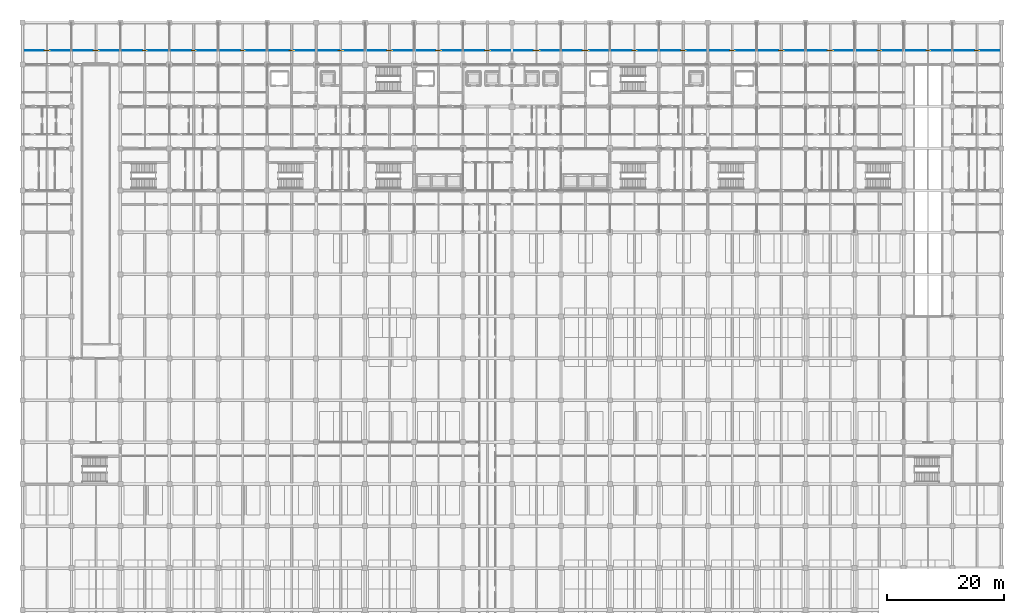
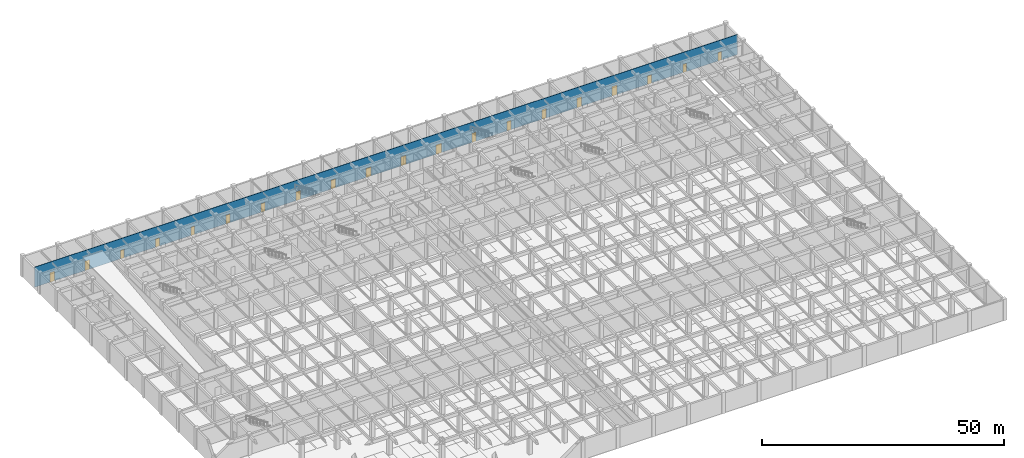
# One storey, part 32 of 48: 20 doors, 1 wall, 20 openings.
"""IFC4 building model written with IfcOpenShell, lengths in metres."""

from ifc_helpers import new_model, si_unit, direction, frame, frame_2d, origin, place, context, subcontext, project, spatial, rectangle, extrude, material, layer, layer_set, type_object, element, fill, save


model = new_model("IFC4")

# Units and contexts
model_context = context("Model", 3, precision=1e-05, world=origin(), true_north=direction((0.0, 1.0)))
body_context = subcontext(model_context, "Body", "Model", "MODEL_VIEW")
ifc_project = project(units=[si_unit("LENGTHUNIT", "METRE"), si_unit("AREAUNIT", "SQUARE_METRE"), si_unit("VOLUMEUNIT", "CUBIC_METRE"), si_unit("PLANEANGLEUNIT", "RADIAN"), si_unit("MASSUNIT", "GRAM", prefix="KILO")], contexts=[model_context])

# Site, building, storey
site_placement = place(None, origin())
site = spatial("IfcSite", under=ifc_project, at=site_placement, CompositionType="ELEMENT")
building_placement = place(site_placement, origin())
building = spatial("IfcBuilding", under=site, at=building_placement, Name="Chengyuan Square Courthouse", CompositionType="ELEMENT")
storey_placement = place(building_placement, frame((0.0, 0.0, -5.39990234375)))
storey = spatial("IfcBuildingStorey", under=building, at=storey_placement, Name="B01", CompositionType="ELEMENT", Elevation=-5.39990234375)

# Wall, openings, doors
ifc_material_1 = material(Name="Gypsum Plasterboard Acoustic Stud Partition")
ifc_layer = layer(ifc_material_1, 0.10009765625)
ifc_layer_set = layer_set([ifc_layer], Name="Gypsum Plasterboard Acoustic Stud Partition")
wall_type = type_object("IfcWallType", Name="WL-PT6", PredefinedType="STANDARD", material=ifc_layer_set)
wall_placement = place(storey_placement, frame((0.0400390625, 110.39990234375, 0.0), z_axis=(0.0, 0.0, 1.0), x_axis=(1.0, 0.0, 0.0)))
wall = element("IfcWall", 1, at=wall_placement, inside=storey, type_object=wall_type, Name="Interior Wall WL-B01-I427", PredefinedType="STANDARD", context=body_context, shape_type="SweptSolid", body=[
    extrude(rectangle(XDim=167.919921875, YDim=0.10009765625, at=frame_2d((83.9599609375, 0.0))), origin(), (0.0, 0.0, 1.0), 5.099853515625),
])
opening_1_placement = place(wall_placement, frame((3.64990234375, 0.0, 0.0)))
opening_1 = element("IfcOpeningElement", 2, at=opening_1_placement, cuts=wall, Name="Opening DR-593", PredefinedType="OPENING", context=body_context, shape_type="SweptSolid", body=[
    extrude(rectangle(XDim=1.06005859375, YDim=2.39990234375, at=frame_2d((0.530029296875, 1.199951171875))), frame((0.0, 0.06201171875, 0.0), z_axis=(0.0, -1.0, 0.0), x_axis=(1.0, 0.0, 0.0)), (0.0, 0.0, 1.0), 0.1240234375),
])
opening_2_placement = place(wall_placement, frame((11.989990234375, 0.0, 0.0)))
opening_2 = element("IfcOpeningElement", 3, at=opening_2_placement, cuts=wall, Name="Opening DR-594", PredefinedType="OPENING", context=body_context, shape_type="SweptSolid", body=[
    extrude(rectangle(XDim=1.139892578125, YDim=2.39990234375, at=frame_2d((0.56982421875, 1.199951171875))), frame((0.0, 0.06201171875, 0.0), z_axis=(0.0, -1.0, 0.0), x_axis=(1.0, 0.0, 0.0)), (0.0, 0.0, 1.0), 0.1240234375),
])
opening_3_placement = place(wall_placement, frame((20.510009765625, 0.0, 0.0)))
opening_3 = element("IfcOpeningElement", 4, at=opening_3_placement, cuts=wall, Name="Opening DR-595", PredefinedType="OPENING", context=body_context, shape_type="SweptSolid", body=[
    extrude(rectangle(XDim=0.89990234375, YDim=2.14990234375, at=frame_2d((0.449951171875, 1.074951171875))), frame((0.0, 0.06201171875, 0.0), z_axis=(0.0, -1.0, 0.0), x_axis=(1.0, 0.0, 0.0)), (0.0, 0.0, 1.0), 0.1240234375),
])
opening_4_placement = place(wall_placement, frame((28.929931640625, 0.0, 0.0)))
opening_4 = element("IfcOpeningElement", 5, at=opening_4_placement, cuts=wall, Name="Opening DR-596", PredefinedType="OPENING", context=body_context, shape_type="SweptSolid", body=[
    extrude(rectangle(XDim=0.860107421875, YDim=2.10009765625, at=frame_2d((0.43017578125, 1.050048828125))), frame((0.0, 0.06201171875, 0.0), z_axis=(0.0, -1.0, 0.0), x_axis=(1.0, 0.0, 0.0)), (0.0, 0.0, 1.0), 0.1240234375),
])
opening_5_placement = place(wall_placement, frame((37.300048828125, 0.0, 0.0)))
opening_5 = element("IfcOpeningElement", 6, at=opening_5_placement, cuts=wall, Name="Opening DR-597", PredefinedType="OPENING", context=body_context, shape_type="SweptSolid", body=[
    extrude(rectangle(XDim=0.919921875, YDim=2.14990234375, at=frame_2d((0.4599609375, 1.074951171875))), frame((0.0, 0.06201171875, 0.0), z_axis=(0.0, -1.0, 0.0), x_axis=(1.0, 0.0, 0.0)), (0.0, 0.0, 1.0), 0.1240234375),
])
opening_6_placement = place(wall_placement, frame((45.679931640625, 0.0, 0.0)))
opening_6 = element("IfcOpeningElement", 7, at=opening_6_placement, cuts=wall, Name="Opening DR-598", PredefinedType="OPENING", context=body_context, shape_type="SweptSolid", body=[
    extrude(rectangle(XDim=0.9599609375, YDim=2.199951171875, at=frame_2d((0.47998046875, 1.10009765625))), frame((0.0, 0.06201171875, 0.0), z_axis=(0.0, -1.0, 0.0), x_axis=(1.0, 0.0, 0.0)), (0.0, 0.0, 1.0), 0.1240234375),
])
opening_7_placement = place(wall_placement, frame((54.0400390625, 0.0, 0.0)))
opening_7 = element("IfcOpeningElement", 8, at=opening_7_placement, cuts=wall, Name="Opening DR-600", PredefinedType="OPENING", context=body_context, shape_type="SweptSolid", body=[
    extrude(rectangle(XDim=1.0400390625, YDim=2.199951171875, at=frame_2d((0.52001953125, 1.10009765625))), frame((0.0, 0.06201171875, 0.0), z_axis=(0.0, -1.0, 0.0), x_axis=(1.0, 0.0, 0.0)), (0.0, 0.0, 1.0), 0.1240234375),
])
opening_8_placement = place(wall_placement, frame((62.419921875, 0.0, 0.0)))
opening_8 = element("IfcOpeningElement", 9, at=opening_8_placement, cuts=wall, Name="Opening DR-601", PredefinedType="OPENING", context=body_context, shape_type="SweptSolid", body=[
    extrude(rectangle(XDim=1.080078125, YDim=2.25, at=frame_2d((0.5400390625, 1.125))), frame((0.0, 0.06201171875, 0.0), z_axis=(0.0, -1.0, 0.0), x_axis=(1.0, 0.0, 0.0)), (0.0, 0.0, 1.0), 0.1240234375),
])
opening_9_placement = place(wall_placement, frame((70.800048828125, 0.0, 0.0)))
opening_9 = element("IfcOpeningElement", 10, at=opening_9_placement, cuts=wall, Name="Opening DR-602", PredefinedType="OPENING", context=body_context, shape_type="SweptSolid", body=[
    extrude(rectangle(XDim=1.1201171875, YDim=2.25, at=frame_2d((0.56005859375, 1.125))), frame((0.0, 0.06201171875, 0.0), z_axis=(0.0, -1.0, 0.0), x_axis=(1.0, 0.0, 0.0)), (0.0, 0.0, 1.0), 0.1240234375),
])
opening_10_placement = place(wall_placement, frame((79.179931640625, 0.0, 0.0)))
opening_10 = element("IfcOpeningElement", 11, at=opening_10_placement, cuts=wall, Name="Opening DR-603", PredefinedType="OPENING", context=body_context, shape_type="SweptSolid", body=[
    extrude(rectangle(XDim=1.159912109375, YDim=2.300048828125, at=frame_2d((0.580078125, 1.14990234375))), frame((0.0, 0.06201171875, 0.0), z_axis=(0.0, -1.0, 0.0), x_axis=(1.0, 0.0, 0.0)), (0.0, 0.0, 1.0), 0.1240234375),
])
opening_11_placement = place(wall_placement, frame((87.5400390625, 0.0, 0.0)))
opening_11 = element("IfcOpeningElement", 12, at=opening_11_placement, cuts=wall, Name="Opening DR-605", PredefinedType="OPENING", context=body_context, shape_type="SweptSolid", body=[
    extrude(rectangle(XDim=1.239990234375, YDim=2.300048828125, at=frame_2d((0.6201171875, 1.14990234375))), frame((0.0, 0.06201171875, 0.0), z_axis=(0.0, -1.0, 0.0), x_axis=(1.0, 0.0, 0.0)), (0.0, 0.0, 1.0), 0.1240234375),
])
opening_12_placement = place(wall_placement, frame((95.919921875, 0.0, 0.0)))
opening_12 = element("IfcOpeningElement", 13, at=opening_12_placement, cuts=wall, Name="Opening DR-606", PredefinedType="OPENING", context=body_context, shape_type="SweptSolid", body=[
    extrude(rectangle(XDim=1.280029296875, YDim=2.35009765625, at=frame_2d((0.64013671875, 1.175048828125))), frame((0.0, 0.06201171875, 0.0), z_axis=(0.0, -1.0, 0.0), x_axis=(1.0, 0.0, 0.0)), (0.0, 0.0, 1.0), 0.1240234375),
])
opening_13_placement = place(wall_placement, frame((104.489990234375, 0.0, 0.0)))
opening_13 = element("IfcOpeningElement", 14, at=opening_13_placement, cuts=wall, Name="Opening DR-607", PredefinedType="OPENING", context=body_context, shape_type="SweptSolid", body=[
    extrude(rectangle(XDim=0.93994140625, YDim=2.300048828125, at=frame_2d((0.469970703125, 1.14990234375))), frame((0.0, 0.06201171875, 0.0), z_axis=(0.0, -1.0, 0.0), x_axis=(1.0, 0.0, 0.0)), (0.0, 0.0, 1.0), 0.1240234375),
])
opening_14_placement = place(wall_placement, frame((112.8701171875, 0.0, 0.0)))
opening_14 = element("IfcOpeningElement", 15, at=opening_14_placement, cuts=wall, Name="Opening DR-608", PredefinedType="OPENING", context=body_context, shape_type="SweptSolid", body=[
    extrude(rectangle(XDim=0.97998046875, YDim=2.35009765625, at=frame_2d((0.489990234375, 1.175048828125))), frame((0.0, 0.06201171875, 0.0), z_axis=(0.0, -1.0, 0.0), x_axis=(1.0, 0.0, 0.0)), (0.0, 0.0, 1.0), 0.1240234375),
])
opening_15_placement = place(wall_placement, frame((121.25, 0.0, 0.0)))
opening_15 = element("IfcOpeningElement", 16, at=opening_15_placement, cuts=wall, Name="Opening DR-609", PredefinedType="OPENING", context=body_context, shape_type="SweptSolid", body=[
    extrude(rectangle(XDim=1.02001953125, YDim=2.39990234375, at=frame_2d((0.510009765625, 1.199951171875))), frame((0.0, 0.06201171875, 0.0), z_axis=(0.0, -1.0, 0.0), x_axis=(1.0, 0.0, 0.0)), (0.0, 0.0, 1.0), 0.1240234375),
])
opening_16_placement = place(wall_placement, frame((129.6298828125, 0.0, 0.0)))
opening_16 = element("IfcOpeningElement", 17, at=opening_16_placement, cuts=wall, Name="Opening DR-610", PredefinedType="OPENING", context=body_context, shape_type="SweptSolid", body=[
    extrude(rectangle(XDim=1.06005859375, YDim=2.39990234375, at=frame_2d((0.530029296875, 1.199951171875))), frame((0.0, 0.06201171875, 0.0), z_axis=(0.0, -1.0, 0.0), x_axis=(1.0, 0.0, 0.0)), (0.0, 0.0, 1.0), 0.1240234375),
])
opening_17_placement = place(wall_placement, frame((137.989990234375, 0.0, 0.0)))
opening_17 = element("IfcOpeningElement", 18, at=opening_17_placement, cuts=wall, Name="Opening DR-611", PredefinedType="OPENING", context=body_context, shape_type="SweptSolid", body=[
    extrude(rectangle(XDim=1.139892578125, YDim=2.39990234375, at=frame_2d((0.56982421875, 1.199951171875))), frame((0.0, 0.06201171875, 0.0), z_axis=(0.0, -1.0, 0.0), x_axis=(1.0, 0.0, 0.0)), (0.0, 0.0, 1.0), 0.1240234375),
])
opening_18_placement = place(wall_placement, frame((146.510009765625, 0.0, 0.0)))
opening_18 = element("IfcOpeningElement", 19, at=opening_18_placement, cuts=wall, Name="Opening DR-612", PredefinedType="OPENING", context=body_context, shape_type="SweptSolid", body=[
    extrude(rectangle(XDim=0.89990234375, YDim=2.14990234375, at=frame_2d((0.449951171875, 1.074951171875))), frame((0.0, 0.06201171875, 0.0), z_axis=(0.0, -1.0, 0.0), x_axis=(1.0, 0.0, 0.0)), (0.0, 0.0, 1.0), 0.1240234375),
])
opening_19_placement = place(wall_placement, frame((154.929931640625, 0.0, 0.0)))
opening_19 = element("IfcOpeningElement", 20, at=opening_19_placement, cuts=wall, Name="Opening DR-613", PredefinedType="OPENING", context=body_context, shape_type="SweptSolid", body=[
    extrude(rectangle(XDim=0.860107421875, YDim=2.10009765625, at=frame_2d((0.43017578125, 1.050048828125))), frame((0.0, 0.06201171875, 0.0), z_axis=(0.0, -1.0, 0.0), x_axis=(1.0, 0.0, 0.0)), (0.0, 0.0, 1.0), 0.1240234375),
])
opening_20_placement = place(wall_placement, frame((163.280029296875, 0.0, 0.0)))
opening_20 = element("IfcOpeningElement", 21, at=opening_20_placement, cuts=wall, Name="Opening DR-614", PredefinedType="OPENING", context=body_context, shape_type="SweptSolid", body=[
    extrude(rectangle(XDim=0.919921875, YDim=2.14990234375, at=frame_2d((0.4599609375, 1.074951171875))), frame((0.0, 0.06201171875, 0.0), z_axis=(0.0, -1.0, 0.0), x_axis=(1.0, 0.0, 0.0)), (0.0, 0.0, 1.0), 0.1240234375),
])
ifc_material_2 = material(Name="Acoustic Solid-Core Timber Door", Category="wood")
door_type_1 = type_object("IfcDoorType", Name="DT-27", OperationType="NOTDEFINED", PredefinedType="DOOR", material=ifc_material_2)
door_1_placement = place(opening_3_placement, origin())
door_1 = element("IfcDoor", 22, at=door_1_placement, inside=storey, type_object=door_type_1, Name="Interior Door DR-595", OperationType="SINGLE_SWING_RIGHT", OverallHeight=2.14990234375, OverallWidth=0.89990234375, PredefinedType="DOOR", context=body_context, shape_type="SweptSolid", body=[
    extrude(rectangle(XDim=0.89990234375, YDim=2.14990234375, at=frame_2d((0.449951171875, 1.074951171875))), frame((0.0, 0.02490234375, 0.0), z_axis=(0.0, -1.0, 0.0), x_axis=(1.0, 0.0, 0.0)), (0.0, 0.0, 1.0), 0.050048828125),
])
fill(opening_3, door_1)
door_2_placement = place(opening_18_placement, origin())
door_2 = element("IfcDoor", 23, at=door_2_placement, inside=storey, type_object=door_type_1, Name="Interior Door DR-612", OperationType="SINGLE_SWING_LEFT", OverallHeight=2.14990234375, OverallWidth=0.89990234375, PredefinedType="DOOR", context=body_context, shape_type="SweptSolid", body=[
    extrude(rectangle(XDim=0.89990234375, YDim=2.14990234375, at=frame_2d((0.449951171875, 1.074951171875))), frame((0.0, 0.02490234375, 0.0), z_axis=(0.0, -1.0, 0.0), x_axis=(1.0, 0.0, 0.0)), (0.0, 0.0, 1.0), 0.050048828125),
])
fill(opening_18, door_2)
door_type_2 = type_object("IfcDoorType", Name="DT-28", OperationType="NOTDEFINED", PredefinedType="DOOR", material=ifc_material_2)
door_3_placement = place(opening_4_placement, origin())
door_3 = element("IfcDoor", 24, at=door_3_placement, inside=storey, type_object=door_type_2, Name="Interior Door DR-596", OperationType="SINGLE_SWING_LEFT", OverallHeight=2.10009765625, OverallWidth=0.860107421875, PredefinedType="DOOR", context=body_context, shape_type="SweptSolid", body=[
    extrude(rectangle(XDim=0.860107421875, YDim=2.10009765625, at=frame_2d((0.43017578125, 1.050048828125))), frame((0.0, 0.02490234375, 0.0), z_axis=(0.0, -1.0, 0.0), x_axis=(1.0, 0.0, 0.0)), (0.0, 0.0, 1.0), 0.050048828125),
])
fill(opening_4, door_3)
door_4_placement = place(opening_19_placement, origin())
door_4 = element("IfcDoor", 25, at=door_4_placement, inside=storey, type_object=door_type_2, Name="Interior Door DR-613", OperationType="SINGLE_SWING_RIGHT", OverallHeight=2.10009765625, OverallWidth=0.860107421875, PredefinedType="DOOR", context=body_context, shape_type="SweptSolid", body=[
    extrude(rectangle(XDim=0.860107421875, YDim=2.10009765625, at=frame_2d((0.43017578125, 1.050048828125))), frame((0.0, 0.02490234375, 0.0), z_axis=(0.0, -1.0, 0.0), x_axis=(1.0, 0.0, 0.0)), (0.0, 0.0, 1.0), 0.050048828125),
])
fill(opening_19, door_4)
door_type_3 = type_object("IfcDoorType", Name="DT-29", OperationType="NOTDEFINED", PredefinedType="DOOR", material=ifc_material_2)
door_5_placement = place(opening_5_placement, origin())
door_5 = element("IfcDoor", 26, at=door_5_placement, inside=storey, type_object=door_type_3, Name="Interior Door DR-597", OperationType="SINGLE_SWING_RIGHT", OverallHeight=2.14990234375, OverallWidth=0.919921875, PredefinedType="DOOR", context=body_context, shape_type="SweptSolid", body=[
    extrude(rectangle(XDim=0.919921875, YDim=2.14990234375, at=frame_2d((0.4599609375, 1.074951171875))), frame((0.0, 0.02490234375, 0.0), z_axis=(0.0, -1.0, 0.0), x_axis=(1.0, 0.0, 0.0)), (0.0, 0.0, 1.0), 0.050048828125),
])
fill(opening_5, door_5)
door_6_placement = place(opening_20_placement, origin())
door_6 = element("IfcDoor", 27, at=door_6_placement, inside=storey, type_object=door_type_3, Name="Interior Door DR-614", OperationType="SINGLE_SWING_LEFT", OverallHeight=2.14990234375, OverallWidth=0.919921875, PredefinedType="DOOR", context=body_context, shape_type="SweptSolid", body=[
    extrude(rectangle(XDim=0.919921875, YDim=2.14990234375, at=frame_2d((0.4599609375, 1.074951171875))), frame((0.0, 0.02490234375, 0.0), z_axis=(0.0, -1.0, 0.0), x_axis=(1.0, 0.0, 0.0)), (0.0, 0.0, 1.0), 0.050048828125),
])
fill(opening_20, door_6)
door_type_4 = type_object("IfcDoorType", Name="DT-30", OperationType="NOTDEFINED", PredefinedType="DOOR", material=ifc_material_2)
door_7_placement = place(opening_6_placement, origin())
door_7 = element("IfcDoor", 28, at=door_7_placement, inside=storey, type_object=door_type_4, Name="Interior Door DR-598", OperationType="SINGLE_SWING_LEFT", OverallHeight=2.199951171875, OverallWidth=0.9599609375, PredefinedType="DOOR", context=body_context, shape_type="SweptSolid", body=[
    extrude(rectangle(XDim=0.9599609375, YDim=2.199951171875, at=frame_2d((0.47998046875, 1.10009765625))), frame((0.0, 0.02490234375, 0.0), z_axis=(0.0, -1.0, 0.0), x_axis=(1.0, 0.0, 0.0)), (0.0, 0.0, 1.0), 0.050048828125),
])
fill(opening_6, door_7)
door_type_5 = type_object("IfcDoorType", Name="DT-32", OperationType="NOTDEFINED", PredefinedType="DOOR", material=ifc_material_2)
door_8_placement = place(opening_7_placement, origin())
door_8 = element("IfcDoor", 29, at=door_8_placement, inside=storey, type_object=door_type_5, Name="Interior Door DR-600", OperationType="SINGLE_SWING_LEFT", OverallHeight=2.199951171875, OverallWidth=1.0400390625, PredefinedType="DOOR", context=body_context, shape_type="SweptSolid", body=[
    extrude(rectangle(XDim=1.0400390625, YDim=2.199951171875, at=frame_2d((0.52001953125, 1.10009765625))), frame((0.0, 0.02490234375, 0.0), z_axis=(0.0, -1.0, 0.0), x_axis=(1.0, 0.0, 0.0)), (0.0, 0.0, 1.0), 0.050048828125),
])
fill(opening_7, door_8)
door_type_6 = type_object("IfcDoorType", Name="DT-33", OperationType="NOTDEFINED", PredefinedType="DOOR", material=ifc_material_2)
door_9_placement = place(opening_8_placement, origin())
door_9 = element("IfcDoor", 30, at=door_9_placement, inside=storey, type_object=door_type_6, Name="Interior Door DR-601", OperationType="SINGLE_SWING_RIGHT", OverallHeight=2.25, OverallWidth=1.080078125, PredefinedType="DOOR", context=body_context, shape_type="SweptSolid", body=[
    extrude(rectangle(XDim=1.080078125, YDim=2.25, at=frame_2d((0.5400390625, 1.125))), frame((0.0, 0.02490234375, 0.0), z_axis=(0.0, -1.0, 0.0), x_axis=(1.0, 0.0, 0.0)), (0.0, 0.0, 1.0), 0.050048828125),
])
fill(opening_8, door_9)
door_type_7 = type_object("IfcDoorType", Name="DT-34", OperationType="NOTDEFINED", PredefinedType="DOOR", material=ifc_material_2)
door_10_placement = place(opening_9_placement, origin())
door_10 = element("IfcDoor", 31, at=door_10_placement, inside=storey, type_object=door_type_7, Name="Interior Door DR-602", OperationType="SINGLE_SWING_LEFT", OverallHeight=2.25, OverallWidth=1.1201171875, PredefinedType="DOOR", context=body_context, shape_type="SweptSolid", body=[
    extrude(rectangle(XDim=1.1201171875, YDim=2.25, at=frame_2d((0.56005859375, 1.125))), frame((0.0, 0.02490234375, 0.0), z_axis=(0.0, -1.0, 0.0), x_axis=(1.0, 0.0, 0.0)), (0.0, 0.0, 1.0), 0.050048828125),
])
fill(opening_9, door_10)
door_type_8 = type_object("IfcDoorType", Name="DT-35", OperationType="NOTDEFINED", PredefinedType="DOOR", material=ifc_material_2)
door_11_placement = place(opening_10_placement, origin())
door_11 = element("IfcDoor", 32, at=door_11_placement, inside=storey, type_object=door_type_8, Name="Interior Door DR-603", OperationType="SINGLE_SWING_RIGHT", OverallHeight=2.300048828125, OverallWidth=1.159912109375, PredefinedType="DOOR", context=body_context, shape_type="SweptSolid", body=[
    extrude(rectangle(XDim=1.159912109375, YDim=2.300048828125, at=frame_2d((0.580078125, 1.14990234375))), frame((0.0, 0.02490234375, 0.0), z_axis=(0.0, -1.0, 0.0), x_axis=(1.0, 0.0, 0.0)), (0.0, 0.0, 1.0), 0.050048828125),
])
fill(opening_10, door_11)
door_type_9 = type_object("IfcDoorType", Name="DT-37", OperationType="NOTDEFINED", PredefinedType="DOOR", material=ifc_material_2)
door_12_placement = place(opening_11_placement, origin())
door_12 = element("IfcDoor", 33, at=door_12_placement, inside=storey, type_object=door_type_9, Name="Interior Door DR-605", OperationType="SINGLE_SWING_RIGHT", OverallHeight=2.300048828125, OverallWidth=1.239990234375, PredefinedType="DOOR", context=body_context, shape_type="SweptSolid", body=[
    extrude(rectangle(XDim=1.239990234375, YDim=2.300048828125, at=frame_2d((0.6201171875, 1.14990234375))), frame((0.0, 0.02490234375, 0.0), z_axis=(0.0, -1.0, 0.0), x_axis=(1.0, 0.0, 0.0)), (0.0, 0.0, 1.0), 0.050048828125),
])
fill(opening_11, door_12)
door_type_10 = type_object("IfcDoorType", Name="DT-38", OperationType="NOTDEFINED", PredefinedType="DOOR", material=ifc_material_2)
door_13_placement = place(opening_12_placement, origin())
door_13 = element("IfcDoor", 34, at=door_13_placement, inside=storey, type_object=door_type_10, Name="Interior Door DR-606", OperationType="SINGLE_SWING_LEFT", OverallHeight=2.35009765625, OverallWidth=1.280029296875, PredefinedType="DOOR", context=body_context, shape_type="SweptSolid", body=[
    extrude(rectangle(XDim=1.280029296875, YDim=2.35009765625, at=frame_2d((0.64013671875, 1.175048828125))), frame((0.0, 0.02490234375, 0.0), z_axis=(0.0, -1.0, 0.0), x_axis=(1.0, 0.0, 0.0)), (0.0, 0.0, 1.0), 0.050048828125),
])
fill(opening_12, door_13)
door_type_11 = type_object("IfcDoorType", Name="DT-39", OperationType="NOTDEFINED", PredefinedType="DOOR", material=ifc_material_2)
door_14_placement = place(opening_13_placement, origin())
door_14 = element("IfcDoor", 35, at=door_14_placement, inside=storey, type_object=door_type_11, Name="Interior Door DR-607", OperationType="SINGLE_SWING_RIGHT", OverallHeight=2.300048828125, OverallWidth=0.93994140625, PredefinedType="DOOR", context=body_context, shape_type="SweptSolid", body=[
    extrude(rectangle(XDim=0.93994140625, YDim=2.300048828125, at=frame_2d((0.469970703125, 1.14990234375))), frame((0.0, 0.02490234375, 0.0), z_axis=(0.0, -1.0, 0.0), x_axis=(1.0, 0.0, 0.0)), (0.0, 0.0, 1.0), 0.050048828125),
])
fill(opening_13, door_14)
door_type_12 = type_object("IfcDoorType", Name="DT-40", OperationType="NOTDEFINED", PredefinedType="DOOR", material=ifc_material_2)
door_15_placement = place(opening_14_placement, origin())
door_15 = element("IfcDoor", 36, at=door_15_placement, inside=storey, type_object=door_type_12, Name="Interior Door DR-608", OperationType="SINGLE_SWING_LEFT", OverallHeight=2.35009765625, OverallWidth=0.97998046875, PredefinedType="DOOR", context=body_context, shape_type="SweptSolid", body=[
    extrude(rectangle(XDim=0.97998046875, YDim=2.35009765625, at=frame_2d((0.489990234375, 1.175048828125))), frame((0.0, 0.02490234375, 0.0), z_axis=(0.0, -1.0, 0.0), x_axis=(1.0, 0.0, 0.0)), (0.0, 0.0, 1.0), 0.050048828125),
])
fill(opening_14, door_15)
door_type_13 = type_object("IfcDoorType", Name="DT-41", OperationType="NOTDEFINED", PredefinedType="DOOR", material=ifc_material_2)
door_16_placement = place(opening_15_placement, origin())
door_16 = element("IfcDoor", 37, at=door_16_placement, inside=storey, type_object=door_type_13, Name="Interior Door DR-609", OperationType="SINGLE_SWING_RIGHT", OverallHeight=2.39990234375, OverallWidth=1.02001953125, PredefinedType="DOOR", context=body_context, shape_type="SweptSolid", body=[
    extrude(rectangle(XDim=1.02001953125, YDim=2.39990234375, at=frame_2d((0.510009765625, 1.199951171875))), frame((0.0, 0.02490234375, 0.0), z_axis=(0.0, -1.0, 0.0), x_axis=(1.0, 0.0, 0.0)), (0.0, 0.0, 1.0), 0.050048828125),
])
fill(opening_15, door_16)
door_type_14 = type_object("IfcDoorType", Name="DT-42", OperationType="NOTDEFINED", PredefinedType="DOOR", material=ifc_material_2)
door_17_placement = place(opening_1_placement, origin())
door_17 = element("IfcDoor", 38, at=door_17_placement, inside=storey, type_object=door_type_14, Name="Interior Door DR-593", OperationType="SINGLE_SWING_RIGHT", OverallHeight=2.39990234375, OverallWidth=1.06005859375, PredefinedType="DOOR", context=body_context, shape_type="SweptSolid", body=[
    extrude(rectangle(XDim=1.06005859375, YDim=2.39990234375, at=frame_2d((0.530029296875, 1.199951171875))), frame((0.0, 0.02490234375, 0.0), z_axis=(0.0, -1.0, 0.0), x_axis=(1.0, 0.0, 0.0)), (0.0, 0.0, 1.0), 0.050048828125),
])
fill(opening_1, door_17)
door_18_placement = place(opening_16_placement, origin())
door_18 = element("IfcDoor", 39, at=door_18_placement, inside=storey, type_object=door_type_14, Name="Interior Door DR-610", OperationType="SINGLE_SWING_LEFT", OverallHeight=2.39990234375, OverallWidth=1.06005859375, PredefinedType="DOOR", context=body_context, shape_type="SweptSolid", body=[
    extrude(rectangle(XDim=1.06005859375, YDim=2.39990234375, at=frame_2d((0.530029296875, 1.199951171875))), frame((0.0, 0.02490234375, 0.0), z_axis=(0.0, -1.0, 0.0), x_axis=(1.0, 0.0, 0.0)), (0.0, 0.0, 1.0), 0.050048828125),
])
fill(opening_16, door_18)
door_type_15 = type_object("IfcDoorType", Name="DT-43", OperationType="NOTDEFINED", PredefinedType="DOOR", material=ifc_material_2)
door_19_placement = place(opening_2_placement, origin())
door_19 = element("IfcDoor", 40, at=door_19_placement, inside=storey, type_object=door_type_15, Name="Interior Door DR-594", OperationType="SINGLE_SWING_LEFT", OverallHeight=2.39990234375, OverallWidth=1.139892578125, PredefinedType="DOOR", context=body_context, shape_type="SweptSolid", body=[
    extrude(rectangle(XDim=1.139892578125, YDim=2.39990234375, at=frame_2d((0.56982421875, 1.199951171875))), frame((0.0, 0.02490234375, 0.0), z_axis=(0.0, -1.0, 0.0), x_axis=(1.0, 0.0, 0.0)), (0.0, 0.0, 1.0), 0.050048828125),
])
fill(opening_2, door_19)
door_20_placement = place(opening_17_placement, origin())
door_20 = element("IfcDoor", 41, at=door_20_placement, inside=storey, type_object=door_type_15, Name="Interior Door DR-611", OperationType="SINGLE_SWING_RIGHT", OverallHeight=2.39990234375, OverallWidth=1.139892578125, PredefinedType="DOOR", context=body_context, shape_type="SweptSolid", body=[
    extrude(rectangle(XDim=1.139892578125, YDim=2.39990234375, at=frame_2d((0.56982421875, 1.199951171875))), frame((0.0, 0.02490234375, 0.0), z_axis=(0.0, -1.0, 0.0), x_axis=(1.0, 0.0, 0.0)), (0.0, 0.0, 1.0), 0.050048828125),
])
fill(opening_17, door_20)

save(model, "model.ifc")
